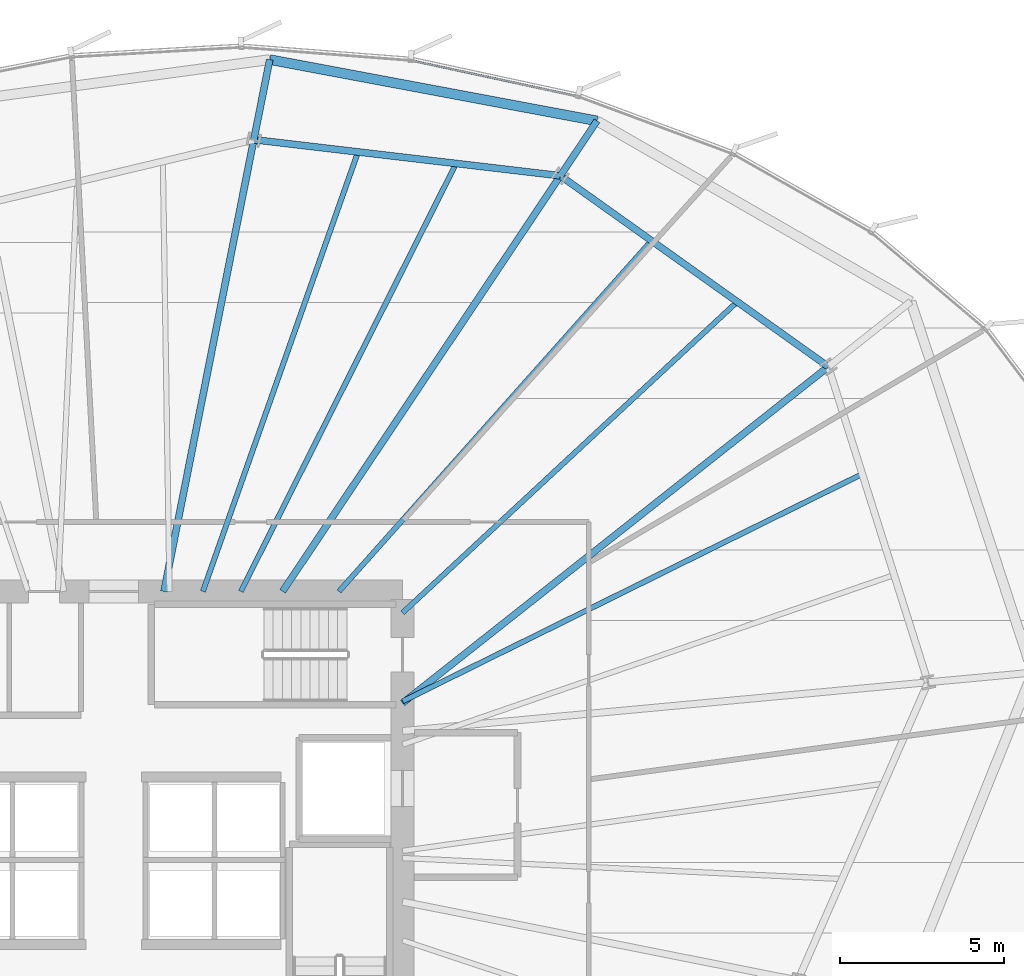
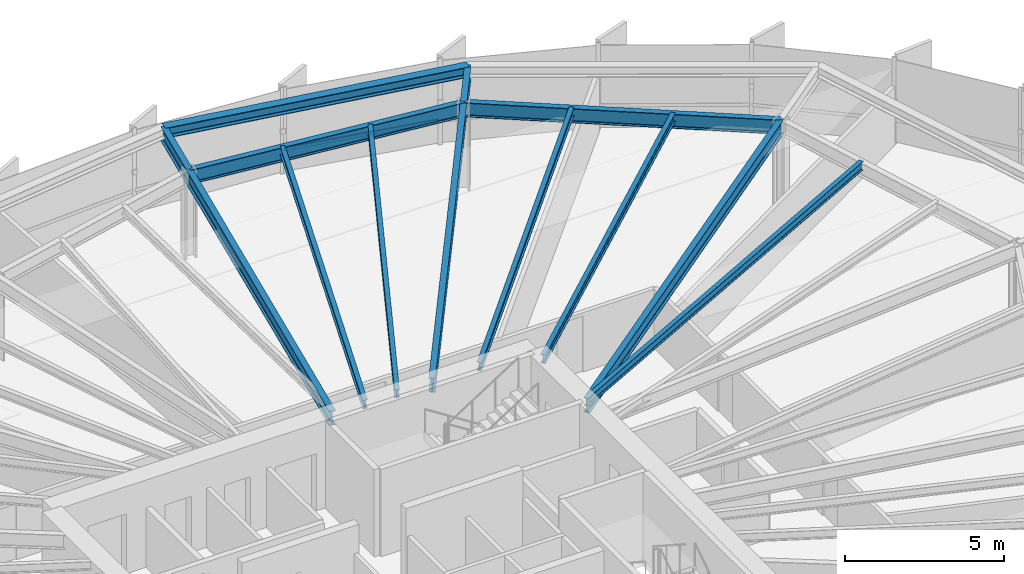
# One storey, part 22 of 35: 13 beams, 1 member, 1 element without a shape of its own.
"""IFC4 building model written with IfcOpenShell, lengths in metres."""

from ifc_helpers import new_model, si_unit, direction, frame, origin, origin_2d, place, context, subcontext, project, spatial, hollow_rectangle, i_section, extrude, source, transform, mapped, material, layer, layer_set, material_profile, profile_set, type_object, element, aggregate, save


model = new_model("IFC4")

# Units and contexts
model_context = context("Model", 3, precision=1e-05, world=origin(), true_north=direction((0.0, 1.0)))
body_context = subcontext(model_context, "Body", "Model", "MODEL_VIEW")
ifc_project = project(units=[si_unit("LENGTHUNIT", "METRE"), si_unit("AREAUNIT", "SQUARE_METRE"), si_unit("VOLUMEUNIT", "CUBIC_METRE"), si_unit("PLANEANGLEUNIT", "RADIAN"), si_unit("MASSUNIT", "GRAM", prefix="KILO"), si_unit("THERMODYNAMICTEMPERATUREUNIT", "KELVIN")], contexts=[model_context])

# Site, building, storey
site_placement = place(None, origin())
site = spatial("IfcSite", under=ifc_project, at=site_placement, CompositionType="ELEMENT")
building_placement = place(site_placement, origin())
building = spatial("IfcBuilding", under=site, at=building_placement, Name="Kethvar Cultural Tower", CompositionType="ELEMENT")
storey_placement = place(building_placement, frame((0.0, 0.0, 96.39990234375)))
storey = spatial("IfcBuildingStorey", under=building, at=storey_placement, Name="L23", CompositionType="ELEMENT", Elevation=96.39990234375)

# Beams
ifc_material_1 = material(Name="Steel S355J2", Category="steel")
ifc_material_profile_1 = material_profile(ifc_material_1, i_section(OverallWidth=0.2099609375, OverallDepth=0.550048828125, WebThickness=0.010986328125, FlangeThickness=0.01708984375, FilletRadius=0.02392578125, at=origin_2d()), Name="Steel S355J2 — IPE550")
ifc_profile_set_1 = profile_set([ifc_material_profile_1], Name="Steel S355J2 — IPE550")
beam_type_1 = type_object("IfcBeamType", Name="BM-IPE550", PredefinedType="BEAM", material=ifc_profile_set_1)
shared_shape_1 = source(origin(), body_context, "Body", "SweptSolid", [
    extrude(i_section(OverallWidth=0.2099609375, OverallDepth=0.550048828125, WebThickness=0.010986328125, FlangeThickness=0.01708984375, FilletRadius=0.02392578125, at=origin_2d()), origin(), (0.0, 0.0, 1.0), 16.527099609375),
])
beam_1_placement = place(storey_placement, frame((55.60009765625, 32.10009765625, 3.072998046875), z_axis=(0.784681939021, 0.619898584105, 0.0), x_axis=(-0.619898584105, 0.784681939021, 0.0)))
element("IfcBeam", 1, at=beam_1_placement, inside=storey, type_object=beam_type_1, Name="L23 Primary Radial Beam RB-02", PredefinedType="BEAM", context=body_context, shape_type="MappedRepresentation", body=[
    mapped(shared_shape_1, transform((0.0, 0.0, 0.0), scale=1.0)),
])
shared_shape_2 = source(origin(), body_context, "Body", "SweptSolid", [
    extrude(i_section(OverallWidth=0.2099609375, OverallDepth=0.550048828125, WebThickness=0.010986328125, FlangeThickness=0.01708984375, FilletRadius=0.02392578125, at=origin_2d()), origin(), (0.0, 0.0, 1.0), 15.22705078125),
])
beam_2_placement = place(storey_placement, frame((51.945068359375, 35.5, 3.072998046875), z_axis=(0.555569390778, 0.83147017507, 0.0), x_axis=(-0.83147017507, 0.555569390778, 0.0)))
element("IfcBeam", 2, at=beam_2_placement, inside=storey, type_object=beam_type_1, Name="L23 Primary Radial Beam RB-03", PredefinedType="BEAM", context=body_context, shape_type="MappedRepresentation", body=[
    mapped(shared_shape_2, transform((0.0, 0.0, 0.0), scale=1.0)),
])
shared_shape_3 = source(origin(), body_context, "Body", "SweptSolid", [
    extrude(i_section(OverallWidth=0.2099609375, OverallDepth=0.550048828125, WebThickness=0.010986328125, FlangeThickness=0.01708984375, FilletRadius=0.02392578125, at=origin_2d()), origin(), (0.0, 0.0, 1.0), 14.02880859375),
])
beam_3_placement = place(storey_placement, frame((48.33154296875, 35.5, 3.072998046875), z_axis=(0.195101986683, 0.980782960085, 0.0), x_axis=(-0.980782960085, 0.195101986683, 0.0)))
element("IfcBeam", 3, at=beam_3_placement, inside=storey, type_object=beam_type_1, Name="L23 Primary Radial Beam RB-04", PredefinedType="BEAM", context=body_context, shape_type="MappedRepresentation", body=[
    mapped(shared_shape_3, transform((0.0, 0.0, 0.0), scale=1.0)),
])
ifc_material_profile_2 = material_profile(ifc_material_1, i_section(OverallWidth=0.159912109375, OverallDepth=0.330078125, WebThickness=0.007568359375, FlangeThickness=0.011474609375, FilletRadius=0.01806640625, at=origin_2d()), Name="Steel S355J2 — IPE330")
ifc_profile_set_2 = profile_set([ifc_material_profile_2], Name="Steel S355J2 — IPE330")
beam_type_2 = type_object("IfcBeamType", Name="BM-J330", PredefinedType="JOIST", material=ifc_profile_set_2)
shared_shape_4 = source(origin(), body_context, "Body", "SweptSolid", [
    extrude(i_section(OverallWidth=0.159912109375, OverallDepth=0.330078125, WebThickness=0.007568359375, FlangeThickness=0.011474609375, FilletRadius=0.01806640625, at=origin_2d()), origin(), (0.0, 0.0, 1.0), 15.618896484375),
])
beam_4_placement = place(storey_placement, frame((55.60009765625, 32.152587890625, 3.18310546875), z_axis=(0.896344638992, 0.443357968408, 0.0), x_axis=(-0.443357968408, 0.896344638992, 0.0)))
element("IfcBeam", 4, at=beam_4_placement, inside=storey, type_object=beam_type_2, Name="L23 Composite Floor Joist J-01B", PredefinedType="JOIST", context=body_context, shape_type="MappedRepresentation", body=[
    mapped(shared_shape_4, transform((0.0, 0.0, 0.0), scale=1.0)),
])
shared_shape_5 = source(origin(), body_context, "Body", "SweptSolid", [
    extrude(i_section(OverallWidth=0.2099609375, OverallDepth=0.550048828125, WebThickness=0.010986328125, FlangeThickness=0.01708984375, FilletRadius=0.02392578125, at=origin_2d()), origin(), (0.0, 0.0, 1.0), 10.0234375),
])
beam_5_placement = place(storey_placement, frame((68.568603515625, 42.34521484375, 3.072998046875), z_axis=(-0.814470106239, 0.580205520521, 0.0), x_axis=(-0.580205520521, -0.814470106239, 0.0)))
element("IfcBeam", 5, at=beam_5_placement, inside=storey, type_object=beam_type_1, Name="L23 Column Ring Tie Beam CR-02", PredefinedType="BEAM", context=body_context, shape_type="MappedRepresentation", body=[
    mapped(shared_shape_5, transform((0.0, 0.0, 0.0), scale=1.0)),
])
shared_shape_6 = source(origin(), body_context, "Body", "SweptSolid", [
    extrude(i_section(OverallWidth=0.159912109375, OverallDepth=0.330078125, WebThickness=0.007568359375, FlangeThickness=0.011474609375, FilletRadius=0.01806640625, at=origin_2d()), origin(), (0.0, 0.0, 1.0), 13.91455078125),
])
beam_6_placement = place(storey_placement, frame((55.60009765625, 34.85009765625, 3.18310546875), z_axis=(0.732512843328, 0.680753211054, 0.0), x_axis=(-0.680753211054, 0.732512843328, 0.0)))
element("IfcBeam", 6, at=beam_6_placement, inside=storey, type_object=beam_type_2, Name="L23 Composite Floor Joist J-02A", PredefinedType="JOIST", context=body_context, shape_type="MappedRepresentation", body=[
    mapped(shared_shape_6, transform((0.0, 0.0, 0.0), scale=1.0)),
])
shared_shape_7 = source(origin(), body_context, "Body", "SweptSolid", [
    extrude(i_section(OverallWidth=0.159912109375, OverallDepth=0.330078125, WebThickness=0.007568359375, FlangeThickness=0.011474609375, FilletRadius=0.01806640625, at=origin_2d()), origin(), (0.0, 0.0, 1.0), 14.3095703125),
])
beam_7_placement = place(storey_placement, frame((53.660888671875, 35.5, 3.18310546875), z_axis=(0.665261381663, 0.746610537073, 0.0), x_axis=(-0.746610537073, 0.665261381663, 0.0)))
element("IfcBeam", 7, at=beam_7_placement, inside=storey, type_object=beam_type_2, Name="L23 Composite Floor Joist J-02B", PredefinedType="JOIST", context=body_context, shape_type="MappedRepresentation", body=[
    mapped(shared_shape_7, transform((0.0, 0.0, 0.0), scale=1.0)),
])
shared_shape_8 = source(origin(), body_context, "Body", "SweptSolid", [
    extrude(i_section(OverallWidth=0.2099609375, OverallDepth=0.550048828125, WebThickness=0.010986328125, FlangeThickness=0.01708984375, FilletRadius=0.02392578125, at=origin_2d()), origin(), (0.0, 0.0, 1.0), 9.400634765625),
])
beam_8_placement = place(storey_placement, frame((60.40478515625, 48.160888671875, 3.072998046875), z_axis=(-0.993150427046, 0.116842754407, 0.0), x_axis=(-0.116842754407, -0.993150427046, 0.0)))
element("IfcBeam", 8, at=beam_8_placement, inside=storey, type_object=beam_type_1, Name="L23 Column Ring Tie Beam CR-03", PredefinedType="BEAM", context=body_context, shape_type="MappedRepresentation", body=[
    mapped(shared_shape_8, transform((0.0, 0.0, 0.0), scale=1.0)),
])
shared_shape_9 = source(origin(), body_context, "Body", "SweptSolid", [
    extrude(i_section(OverallWidth=0.159912109375, OverallDepth=0.330078125, WebThickness=0.007568359375, FlangeThickness=0.011474609375, FilletRadius=0.01806640625, at=origin_2d()), origin(), (0.0, 0.0, 1.0), 14.590576171875),
])
beam_9_placement = place(storey_placement, frame((50.673583984375, 35.5, 3.18310546875), z_axis=(0.449394228778, 0.893333547529, 0.0), x_axis=(-0.893333547529, 0.449394228778, 0.0)))
element("IfcBeam", 9, at=beam_9_placement, inside=storey, type_object=beam_type_2, Name="L23 Composite Floor Joist J-03A", PredefinedType="JOIST", context=body_context, shape_type="MappedRepresentation", body=[
    mapped(shared_shape_9, transform((0.0, 0.0, 0.0), scale=1.0)),
])
shared_shape_10 = source(origin(), body_context, "Body", "SweptSolid", [
    extrude(i_section(OverallWidth=0.159912109375, OverallDepth=0.330078125, WebThickness=0.007568359375, FlangeThickness=0.011474609375, FilletRadius=0.01806640625, at=origin_2d()), origin(), (0.0, 0.0, 1.0), 14.1953125),
])
beam_10_placement = place(storey_placement, frame((49.517822265625, 35.5, 3.18310546875), z_axis=(0.332865098769, 0.942974456717, 0.0), x_axis=(-0.942974456717, 0.332865098769, 0.0)))
element("IfcBeam", 10, at=beam_10_placement, inside=storey, type_object=beam_type_2, Name="L23 Composite Floor Joist J-03B", PredefinedType="JOIST", context=body_context, shape_type="MappedRepresentation", body=[
    mapped(shared_shape_10, transform((0.0, 0.0, 0.0), scale=1.0)),
])
shared_shape_11 = source(origin(), body_context, "Body", "SweptSolid", [
    extrude(i_section(OverallWidth=0.2099609375, OverallDepth=0.550048828125, WebThickness=0.010986328125, FlangeThickness=0.01708984375, FilletRadius=0.02392578125, at=origin_2d()), origin(), (0.0, 0.0, 1.0), 2.009521484375),
])
beam_11_placement = place(storey_placement, frame((60.40478515625, 48.160888671875, 3.072998046875), z_axis=(0.555569006934, 0.831470431545, 0.0), x_axis=(-0.831470431545, 0.555569006934, 0.0)))
element("IfcBeam", 11, at=beam_11_placement, inside=storey, type_object=beam_type_1, Name="L23 Perimeter Cantilever Beam RC-03", PredefinedType="BEAM", context=body_context, shape_type="MappedRepresentation", body=[
    mapped(shared_shape_11, transform((0.0, 0.0, 0.0), scale=1.0)),
])
shared_shape_12 = source(origin(), body_context, "Body", "SweptSolid", [
    extrude(i_section(OverallWidth=0.2099609375, OverallDepth=0.550048828125, WebThickness=0.010986328125, FlangeThickness=0.01708984375, FilletRadius=0.02392578125, at=origin_2d()), origin(), (0.0, 0.0, 1.0), 2.48681640625),
])
beam_12_placement = place(storey_placement, frame((51.068603515625, 49.25927734375, 3.072998046875), z_axis=(0.195077615043, 0.980787807892, 0.0), x_axis=(-0.980787807892, 0.195077615043, 0.0)))
element("IfcBeam", 12, at=beam_12_placement, inside=storey, type_object=beam_type_1, Name="L23 Perimeter Cantilever Beam RC-04", PredefinedType="BEAM", context=body_context, shape_type="MappedRepresentation", body=[
    mapped(shared_shape_12, transform((0.0, 0.0, 0.0), scale=1.0)),
])
ifc_material_profile_3 = material_profile(ifc_material_1, i_section(OverallWidth=0.300048828125, OverallDepth=0.39990234375, WebThickness=0.013427734375, FlangeThickness=0.02392578125, FilletRadius=0.027099609375, at=origin_2d()), Name="Steel S355J2 — HEB400")
ifc_profile_set_3 = profile_set([ifc_material_profile_3], Name="Steel S355J2 — HEB400")
beam_type_3 = type_object("IfcBeamType", Name="BM-SP400", PredefinedType="SPANDREL", material=ifc_profile_set_3)
shared_shape_13 = source(origin(), body_context, "Body", "SweptSolid", [
    extrude(i_section(OverallWidth=0.300048828125, OverallDepth=0.39990234375, WebThickness=0.013427734375, FlangeThickness=0.02392578125, FilletRadius=0.027099609375, at=origin_2d()), origin(), (0.0, 0.0, 1.0), 10.140869140625),
])
beam_13_placement = place(storey_placement, frame((61.521240234375, 49.831787109375, 3.148193359375), z_axis=(-0.982916039435, 0.184054501224, 0.0), x_axis=(-0.184054501224, -0.982916039435, 0.0)))
element("IfcBeam", 13, at=beam_13_placement, inside=storey, type_object=beam_type_3, Name="L23 Perimeter Spandrel Beam SP-03", PredefinedType="SPANDREL", context=body_context, shape_type="MappedRepresentation", body=[
    mapped(shared_shape_13, transform((0.0, 0.0, 0.0), scale=1.0)),
])

# Curtain wall, member
ifc_material_2 = material(Name="Aluminium 6063-T6", Category="aluminium")
ifc_layer = layer(ifc_material_2, 0.179931640625, Name="Aluminium 6063-T6", Category="aluminium")
ifc_layer_set = layer_set([ifc_layer], Name="Aluminium 6063-T6 (180 mm)")
curtain_wall_type = type_object("IfcCurtainWallType", Name="CW-SYS-03-Z2", PredefinedType="NOTDEFINED", material=ifc_layer_set)
curtain_wall_placement = place(storey_placement, origin())
curtain_wall = element("IfcCurtainWall", 14, at=curtain_wall_placement, inside=storey, type_object=curtain_wall_type, Name="L23 Curtain Wall Run 01", PredefinedType="NOTDEFINED")
ifc_material_profile_4 = material_profile(ifc_material_2, hollow_rectangle(XDim=0.054931640625, YDim=0.1201171875, WallThickness=0.00390625, at=origin_2d()), Name="Aluminium 6063-T6 — RHS120x55x4")
ifc_profile_set_4 = profile_set([ifc_material_profile_4], Name="Aluminium 6063-T6 — RHS120x55x4")
member_type = type_object("IfcMemberType", Name="CW-SYS-03-Z2-TRN", PredefinedType="USERDEFINED", material=ifc_profile_set_4)
shared_shape_14 = source(origin(), body_context, "Body", "SweptSolid", [
    extrude(hollow_rectangle(XDim=0.054931640625, YDim=0.1201171875, WallThickness=0.00390625, at=origin_2d()), origin(), (0.0, 0.0, 1.0), 5.101806640625),
])
member_placement = place(storey_placement, frame((60.89697265625, 50.5869140625, 0.9501953125), z_axis=(-0.977499573589, 0.210937392685, 0.0), x_axis=(-0.210937392685, -0.977499573589, 0.0)))
member = element("IfcMember", 15, at=member_placement, type_object=member_type, Name="CW-L23-R01 Transom 6", ObjectType="TRANSOM", PredefinedType="USERDEFINED", context=body_context, shape_type="MappedRepresentation", body=[
    mapped(shared_shape_14, transform((0.0, 0.0, 0.0), scale=1.0)),
])
aggregate(curtain_wall, [member])

save(model, "model.ifc")
